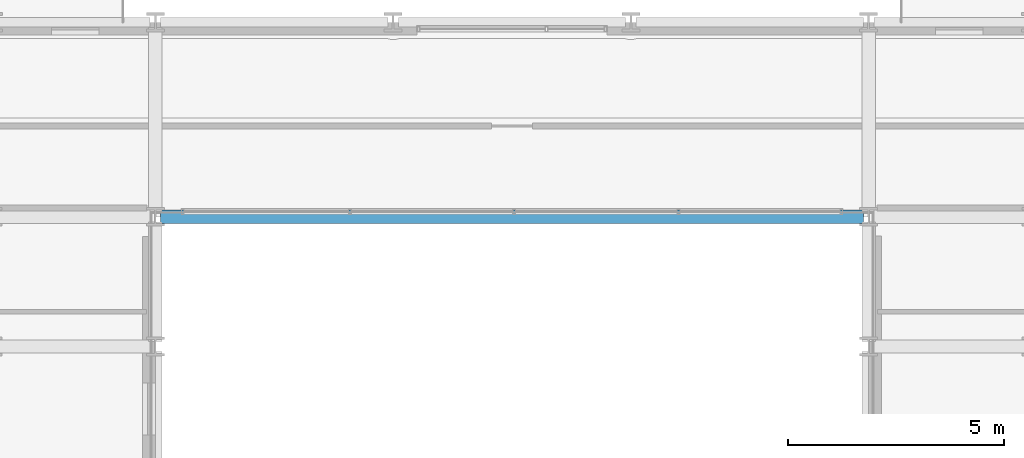
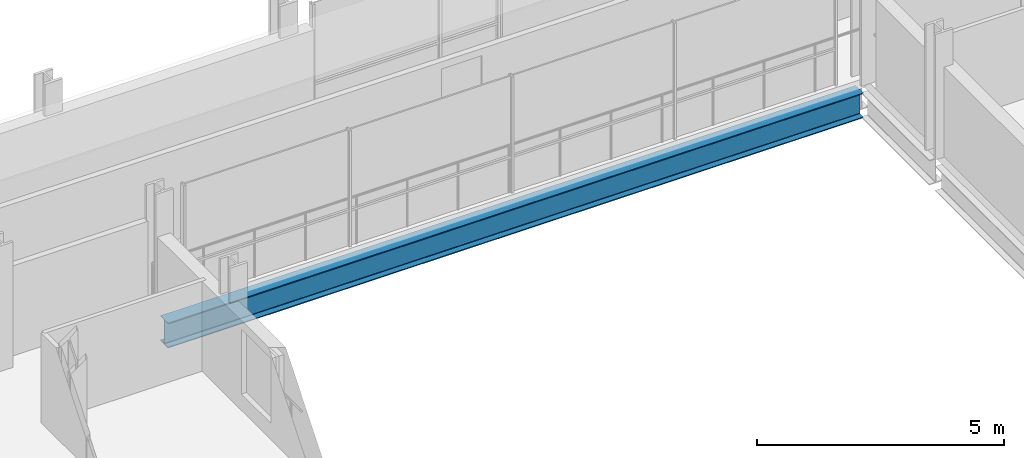
# One storey, part 10 of 39: 1 beam.
"""IFC4 building model written with IfcOpenShell, lengths in metres."""

from ifc_helpers import new_model, si_unit, direction, frame, origin, origin_2d, place, context, subcontext, project, spatial, i_section, extrude, material, material_profile, profile_set, type_object, element, save


model = new_model("IFC4")

# Units and contexts
model_context = context("Model", 3, precision=1e-05, world=origin(), true_north=direction((0.0, 1.0)))
body_context = subcontext(model_context, "Body", "Model", "MODEL_VIEW")
ifc_project = project(units=[si_unit("LENGTHUNIT", "METRE"), si_unit("AREAUNIT", "SQUARE_METRE"), si_unit("VOLUMEUNIT", "CUBIC_METRE"), si_unit("PLANEANGLEUNIT", "RADIAN"), si_unit("MASSUNIT", "GRAM", prefix="KILO")], contexts=[model_context])

# Site, building, storey
site_placement = place(None, origin())
site = spatial("IfcSite", under=ifc_project, at=site_placement, CompositionType="ELEMENT")
building_placement = place(site_placement, origin())
building = spatial("IfcBuilding", under=site, at=building_placement, Name="Brevholm Reach", CompositionType="ELEMENT")
storey_placement = place(building_placement, frame((0.0, 0.0, 90.0)))
storey = spatial("IfcBuildingStorey", under=building, at=storey_placement, Name="L26", CompositionType="ELEMENT", Elevation=90.0)

# Beam
ifc_material = material(Name="Structural Steel S355J2", Category="steel")
ifc_material_profile = material_profile(ifc_material, i_section(OverallWidth=0.30712890625, OverallDepth=0.6201171875, WebThickness=0.01416015625, FlangeThickness=0.023681640625, FilletRadius=0.0166015625, at=origin_2d()), Name="UKB 610x305x179")
ifc_profile_set = profile_set([ifc_material_profile], Name="Structural Steel S355J2")
beam_type = type_object("IfcBeamType", Name="BM-UKB610H", PredefinedType="USERDEFINED", material=ifc_profile_set)
beam_placement = place(storey_placement, frame((21.8701171875, 26.5, -0.5400390625), z_axis=(1.0, 0.0, 0.0), x_axis=(0.0, 1.0, 0.0)))
element("IfcBeam", 1, at=beam_placement, inside=storey, type_object=beam_type, Name="L26 G-06 Framing Beam", ObjectType="GIRDER", PredefinedType="USERDEFINED", context=body_context, shape_type="SweptSolid", body=[
    extrude(i_section(OverallWidth=0.30712890625, OverallDepth=0.6201171875, WebThickness=0.01416015625, FlangeThickness=0.023681640625, FilletRadius=0.0166015625, at=origin_2d()), origin(), (0.0, 0.0, 1.0), 16.259765625),
])

save(model, "model.ifc")
